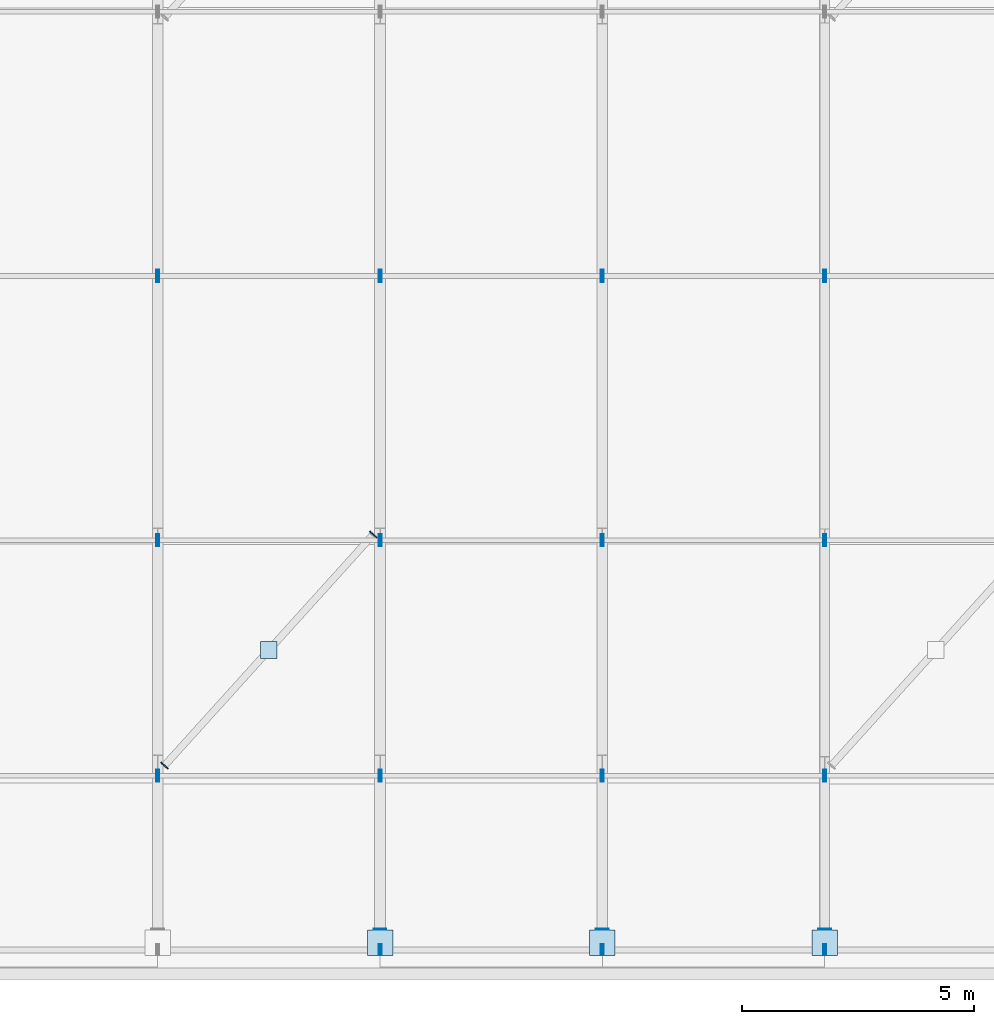
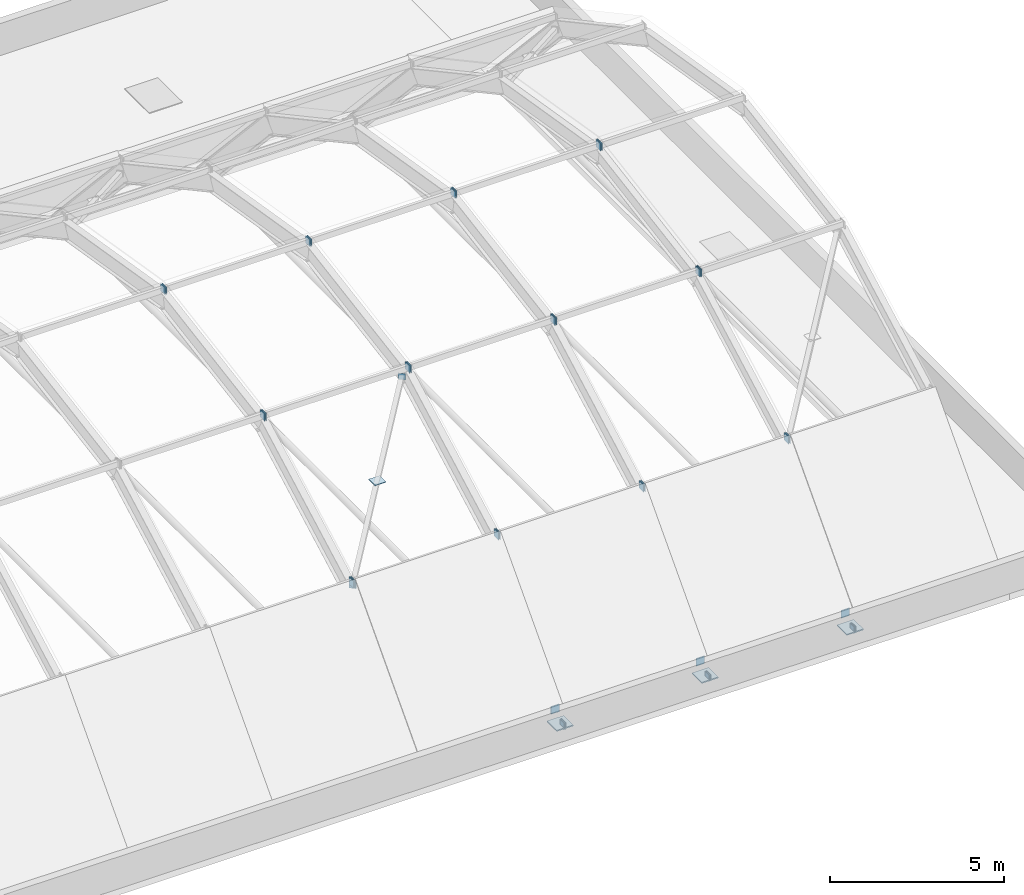
# One storey, part 4 of 10: 39 plates.
"""IFC4 building model written with IfcOpenShell, lengths in metres."""

from ifc_helpers import new_model, si_unit, direction, frame, origin, origin_2d, place, context, subcontext, project, spatial, rectangle, extrude, material, layer, layer_set, type_object, element, save


model = new_model("IFC4")

# Units and contexts
model_context = context("Model", 3, precision=1e-05, world=origin(), true_north=direction((0.0, 1.0)))
body_context = subcontext(model_context, "Body", "Model", "MODEL_VIEW")
ifc_project = project(units=[si_unit("LENGTHUNIT", "METRE"), si_unit("AREAUNIT", "SQUARE_METRE"), si_unit("VOLUMEUNIT", "CUBIC_METRE"), si_unit("PLANEANGLEUNIT", "RADIAN"), si_unit("MASSUNIT", "GRAM", prefix="KILO")], contexts=[model_context])

# Site, building, storey
site_placement = place(None, origin())
site = spatial("IfcSite", under=ifc_project, at=site_placement, CompositionType="ELEMENT")
building_placement = place(site_placement, origin())
building = spatial("IfcBuilding", under=site, at=building_placement, Name="Zantavel Square City Hall", CompositionType="ELEMENT")
storey_placement = place(building_placement, frame((0.0, 0.0, 28.5)))
storey = spatial("IfcBuildingStorey", under=building, at=storey_placement, Name="RF", CompositionType="ELEMENT", Elevation=28.5)

# Plates
ifc_material = material(Name="Steel ASTM A572 Grade 50", Category="steel")
ifc_layer_1 = layer(ifc_material, 0.01806640625, Name="Steel ASTM A572 Grade 50")
ifc_layer_set_1 = layer_set([ifc_layer_1], Name="Steel ASTM A572 Grade 50")
plate_type_1 = type_object("IfcPlateType", Name="CHS 219 End Cap Plate 18mm", PredefinedType="SHEET", material=ifc_layer_set_1)
for number, where, z_axis, x_axis, name in (
    (1, (86.39990234375, 31.493896484375, 0.212646484375), (0.0, 0.0, 1.0), (0.0, 1.0, 0.0), "Barrel Vault Rib 5 Tension Tie End Cap 1"),
    (2, (91.199951171875, 31.493896484375, 0.212646484375), (0.0, 0.0, 1.0), (0.0, 1.0, 0.0), "Barrel Vault Rib 6 Tension Tie End Cap 1"),
    (3, (96.0, 31.493896484375, 0.212646484375), (0.0, 0.0, 1.0), (0.0, 1.0, 0.0), "Barrel Vault Rib 7 Tension Tie End Cap 1"),
):
    element("IfcPlate", number, at=place(storey_placement, frame(where, z_axis=z_axis, x_axis=x_axis)), inside=storey, type_object=plate_type_1, Name=name, PredefinedType="SHEET", context=body_context, shape_type="SweptSolid", body=[
        extrude(rectangle(XDim=0.01806640625, YDim=0.27490234375, at=origin_2d()), origin(), (0.0, 0.0, 1.0), 0.27490234375),
    ])
ifc_layer_2 = layer(ifc_material, 0.01611328125, Name="Steel ASTM A572 Grade 50")
ifc_layer_set_2 = layer_set([ifc_layer_2], Name="Steel ASTM A572 Grade 50")
plate_type_2 = type_object("IfcPlateType", Name="HSS 152x152 End Cap Plate 16mm", PredefinedType="SHEET", material=ifc_layer_set_2)
for number, where, z_axis, x_axis, name in (
    (4, (81.746337890625, 35.029296875, 4.062255859375), (0.0, 0.0, 1.0), (0.670437637843, 0.741965884501, 0.0), "Vault Wind Brace B4-C2 End Cap 1"),
    (5, (86.253662109375, 40.017578125, 6.764404296875), (0.0, 0.0, 1.0), (0.670437637843, 0.741965884501, 0.0), "Vault Wind Brace B4-C2 End Cap 2"),
):
    element("IfcPlate", number, at=place(storey_placement, frame(where, z_axis=z_axis, x_axis=x_axis)), inside=storey, type_object=plate_type_2, Name=name, PredefinedType="SHEET", context=body_context, shape_type="SweptSolid", body=[
        extrude(rectangle(XDim=0.02392578125, YDim=0.2099609375, at=origin_2d()), origin(), (0.0, 0.0, 1.0), 0.2099609375),
    ])
ifc_layer_3 = layer(ifc_material, 0.01611328125, Name="Steel ASTM A572 Grade 50")
ifc_layer_set_3 = layer_set([ifc_layer_3], Name="Steel ASTM A572 Grade 50")
plate_type_3 = type_object("IfcPlateType", Name="HSS 178x127 End Cap Plate 16mm", PredefinedType="SHEET", material=ifc_layer_set_3)
for number, where, z_axis, x_axis, name in (
    (6, (86.3759765625, 31.050048828125, -0.0283203125), (0.0, 0.0, 1.0), (1.0, 0.0, 0.0), "Vault Bay 4 Purlin 1 End Cap 2"),
    (7, (86.424072265625, 31.050048828125, -0.0283203125), (0.0, 0.0, 1.0), (1.0, 0.0, 0.0), "Vault Bay 5 Purlin 1 End Cap 1"),
    (8, (91.176025390625, 31.050048828125, -0.0283203125), (0.0, 0.0, 1.0), (1.0, 0.0, 0.0), "Vault Bay 5 Purlin 1 End Cap 2"),
    (9, (91.22412109375, 31.050048828125, -0.0283203125), (0.0, 0.0, 1.0), (1.0, 0.0, 0.0), "Vault Bay 6 Purlin 1 End Cap 1"),
    (10, (95.97607421875, 31.050048828125, -0.0283203125), (0.0, 0.0, 1.0), (1.0, 0.0, 0.0), "Vault Bay 6 Purlin 1 End Cap 2"),
    (11, (96.02392578125, 31.050048828125, -0.0283203125), (0.0, 0.0, 1.0), (1.0, 0.0, 0.0), "Vault Bay 7 Purlin 1 End Cap 1"),
):
    element("IfcPlate", number, at=place(storey_placement, frame(where, z_axis=z_axis, x_axis=x_axis)), inside=storey, type_object=plate_type_3, Name=name, PredefinedType="SHEET", context=body_context, shape_type="SweptSolid", body=[
        extrude(rectangle(XDim=0.01611328125, YDim=0.235107421875, at=origin_2d()), origin(), (0.0, 0.0, 1.0), 0.235107421875),
    ])
ifc_layer_4 = layer(ifc_material, 0.01611328125, Name="Steel ASTM A572 Grade 50")
ifc_layer_set_4 = layer_set([ifc_layer_4], Name="Steel ASTM A572 Grade 50")
plate_type_4 = type_object("IfcPlateType", Name="HSS 203x102 End Cap Plate 16mm", PredefinedType="SHEET", material=ifc_layer_set_4)
for number, where, z_axis, x_axis, name in (
    (12, (81.575927734375, 34.8076171875, 4.32958984375), (0.0, 0.0, 1.0), (1.0, 0.0, 0.0), "Vault Bay 3 Purlin 2 End Cap 2"),
    (13, (81.575927734375, 39.89404296875, 7.08447265625), (0.0, 0.0, 1.0), (1.0, 0.0, 0.0), "Vault Bay 3 Purlin 3 End Cap 2"),
    (14, (81.575927734375, 45.60009765625, 8.03759765625), (0.0, 0.0, 1.0), (1.0, 0.0, 0.0), "Vault Bay 3 Purlin 4 End Cap 2"),
    (15, (81.6240234375, 34.8076171875, 4.32958984375), (0.0, 0.0, 1.0), (1.0, 0.0, 0.0), "Vault Bay 4 Purlin 2 End Cap 1"),
    (16, (86.3759765625, 34.8076171875, 4.32958984375), (0.0, 0.0, 1.0), (1.0, 0.0, 0.0), "Vault Bay 4 Purlin 2 End Cap 2"),
    (17, (81.6240234375, 39.89404296875, 7.08447265625), (0.0, 0.0, 1.0), (1.0, 0.0, 0.0), "Vault Bay 4 Purlin 3 End Cap 1"),
    (18, (86.3759765625, 39.89404296875, 7.08447265625), (0.0, 0.0, 1.0), (1.0, 0.0, 0.0), "Vault Bay 4 Purlin 3 End Cap 2"),
    (19, (81.6240234375, 45.60009765625, 8.03759765625), (0.0, 0.0, 1.0), (1.0, 0.0, 0.0), "Vault Bay 4 Purlin 4 End Cap 1"),
    (20, (86.3759765625, 45.60009765625, 8.03759765625), (0.0, 0.0, 1.0), (1.0, 0.0, 0.0), "Vault Bay 4 Purlin 4 End Cap 2"),
    (21, (86.424072265625, 34.8076171875, 4.32958984375), (0.0, 0.0, 1.0), (1.0, 0.0, 0.0), "Vault Bay 5 Purlin 2 End Cap 1"),
    (22, (91.176025390625, 34.8076171875, 4.32958984375), (0.0, 0.0, 1.0), (1.0, 0.0, 0.0), "Vault Bay 5 Purlin 2 End Cap 2"),
    (23, (86.424072265625, 39.89404296875, 7.08447265625), (0.0, 0.0, 1.0), (1.0, 0.0, 0.0), "Vault Bay 5 Purlin 3 End Cap 1"),
    (24, (91.176025390625, 39.89404296875, 7.08447265625), (0.0, 0.0, 1.0), (1.0, 0.0, 0.0), "Vault Bay 5 Purlin 3 End Cap 2"),
    (25, (86.424072265625, 45.60009765625, 8.03759765625), (0.0, 0.0, 1.0), (1.0, 0.0, 0.0), "Vault Bay 5 Purlin 4 End Cap 1"),
    (26, (91.176025390625, 45.60009765625, 8.03759765625), (0.0, 0.0, 1.0), (1.0, 0.0, 0.0), "Vault Bay 5 Purlin 4 End Cap 2"),
    (27, (91.22412109375, 34.8076171875, 4.32958984375), (0.0, 0.0, 1.0), (1.0, 0.0, 0.0), "Vault Bay 6 Purlin 2 End Cap 1"),
    (28, (95.97607421875, 34.8076171875, 4.32958984375), (0.0, 0.0, 1.0), (1.0, 0.0, 0.0), "Vault Bay 6 Purlin 2 End Cap 2"),
    (29, (91.22412109375, 39.89404296875, 7.08447265625), (0.0, 0.0, 1.0), (1.0, 0.0, 0.0), "Vault Bay 6 Purlin 3 End Cap 1"),
    (30, (95.97607421875, 39.89404296875, 7.08447265625), (0.0, 0.0, 1.0), (1.0, 0.0, 0.0), "Vault Bay 6 Purlin 3 End Cap 2"),
    (31, (91.22412109375, 45.60009765625, 8.03759765625), (0.0, 0.0, 1.0), (1.0, 0.0, 0.0), "Vault Bay 6 Purlin 4 End Cap 1"),
    (32, (95.97607421875, 45.60009765625, 8.03759765625), (0.0, 0.0, 1.0), (1.0, 0.0, 0.0), "Vault Bay 6 Purlin 4 End Cap 2"),
    (33, (96.02392578125, 34.8076171875, 4.32958984375), (0.0, 0.0, 1.0), (1.0, 0.0, 0.0), "Vault Bay 7 Purlin 2 End Cap 1"),
    (34, (96.02392578125, 39.89404296875, 7.08447265625), (0.0, 0.0, 1.0), (1.0, 0.0, 0.0), "Vault Bay 7 Purlin 3 End Cap 1"),
    (35, (96.02392578125, 45.60009765625, 8.03759765625), (0.0, 0.0, 1.0), (1.0, 0.0, 0.0), "Vault Bay 7 Purlin 4 End Cap 1"),
):
    element("IfcPlate", number, at=place(storey_placement, frame(where, z_axis=z_axis, x_axis=x_axis)), inside=storey, type_object=plate_type_4, Name=name, PredefinedType="SHEET", context=body_context, shape_type="SweptSolid", body=[
        extrude(rectangle(XDim=0.01611328125, YDim=0.260009765625, at=origin_2d()), origin(), (0.0, 0.0, 1.0), 0.260009765625),
    ])
ifc_layer_5 = layer(ifc_material, 0.0400390625, Name="Steel ASTM A572 Grade 50")
ifc_layer_set_5 = layer_set([ifc_layer_5], Name="Steel ASTM A572 Grade 50")
plate_type_5 = type_object("IfcPlateType", Name="Vault Arch Base Shoe Plate 550x550x40", PredefinedType="SHEET", material=ifc_layer_set_5)
for number, where, z_axis, x_axis, name in (
    (36, (86.39990234375, 31.199951171875, 0.0), (0.0, 0.0, 1.0), (1.0, 0.0, 0.0), "Barrel Vault Rib 5 Base Shoe Plate 1"),
    (37, (91.199951171875, 31.199951171875, 0.0), (0.0, 0.0, 1.0), (1.0, 0.0, 0.0), "Barrel Vault Rib 6 Base Shoe Plate 1"),
    (38, (96.0, 31.199951171875, 0.0), (0.0, 0.0, 1.0), (1.0, 0.0, 0.0), "Barrel Vault Rib 7 Base Shoe Plate 1"),
):
    element("IfcPlate", number, at=place(storey_placement, frame(where, z_axis=z_axis, x_axis=x_axis)), inside=storey, type_object=plate_type_5, Name=name, PredefinedType="SHEET", context=body_context, shape_type="SweptSolid", body=[
        extrude(rectangle(XDim=0.550048828125, YDim=0.550048828125, at=origin_2d()), origin(), (0.0, 0.0, 1.0), 0.0400390625),
    ])
ifc_layer_6 = layer(ifc_material, 0.02392578125, Name="Steel ASTM A572 Grade 50")
ifc_layer_set_6 = layer_set([ifc_layer_6], Name="Steel ASTM A572 Grade 50")
plate_type_6 = type_object("IfcPlateType", Name="Vault Brace Gusset Plate 360x360x24", PredefinedType="USERDEFINED", material=ifc_layer_set_6)
plate_placement = place(storey_placement, frame((84.0, 37.5234375, 5.50634765625), z_axis=(0.0, 0.0, 1.0), x_axis=(1.0, 0.0, 0.0)))
element("IfcPlate", 39, at=plate_placement, inside=storey, type_object=plate_type_6, Name="Vault Brace Gusset B4-C2", ObjectType="GUSSET PLATE", PredefinedType="USERDEFINED", context=body_context, shape_type="SweptSolid", body=[
    extrude(rectangle(XDim=0.360107421875, YDim=0.360107421875, at=origin_2d()), origin(), (0.0, 0.0, 1.0), 0.02392578125),
])

save(model, "model.ifc")
